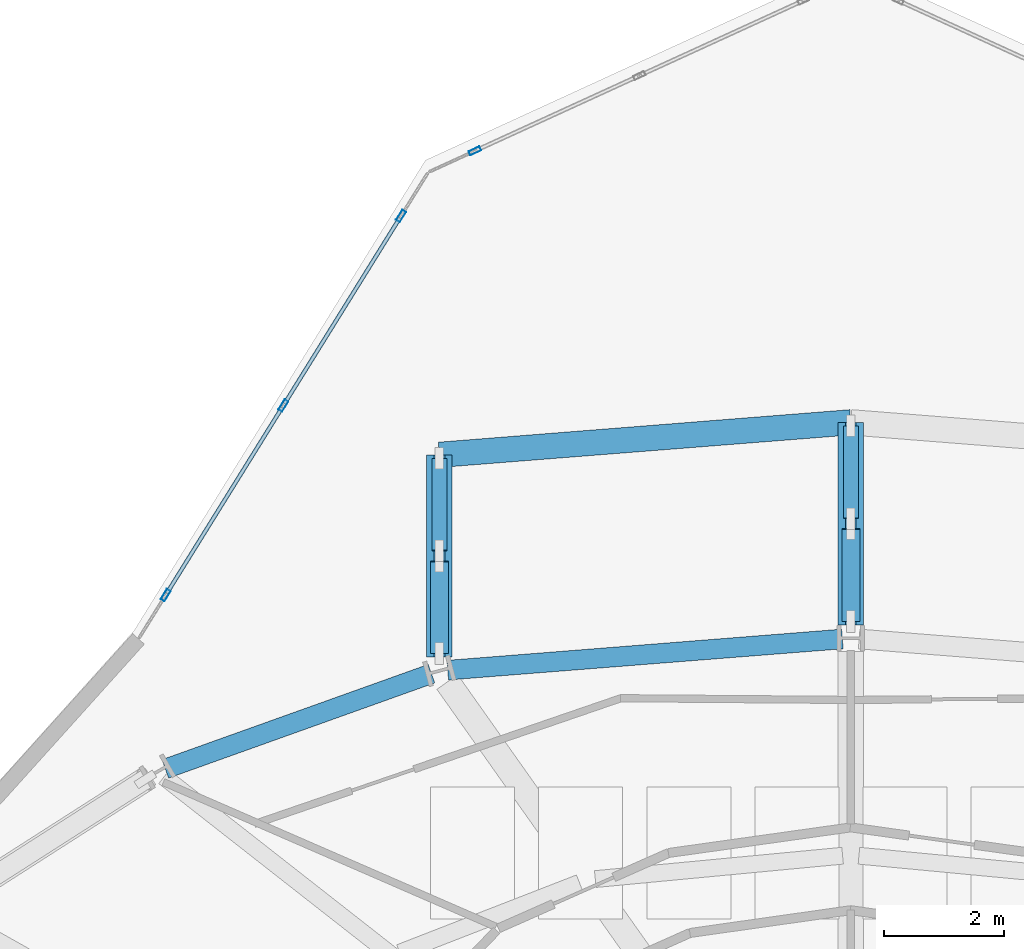
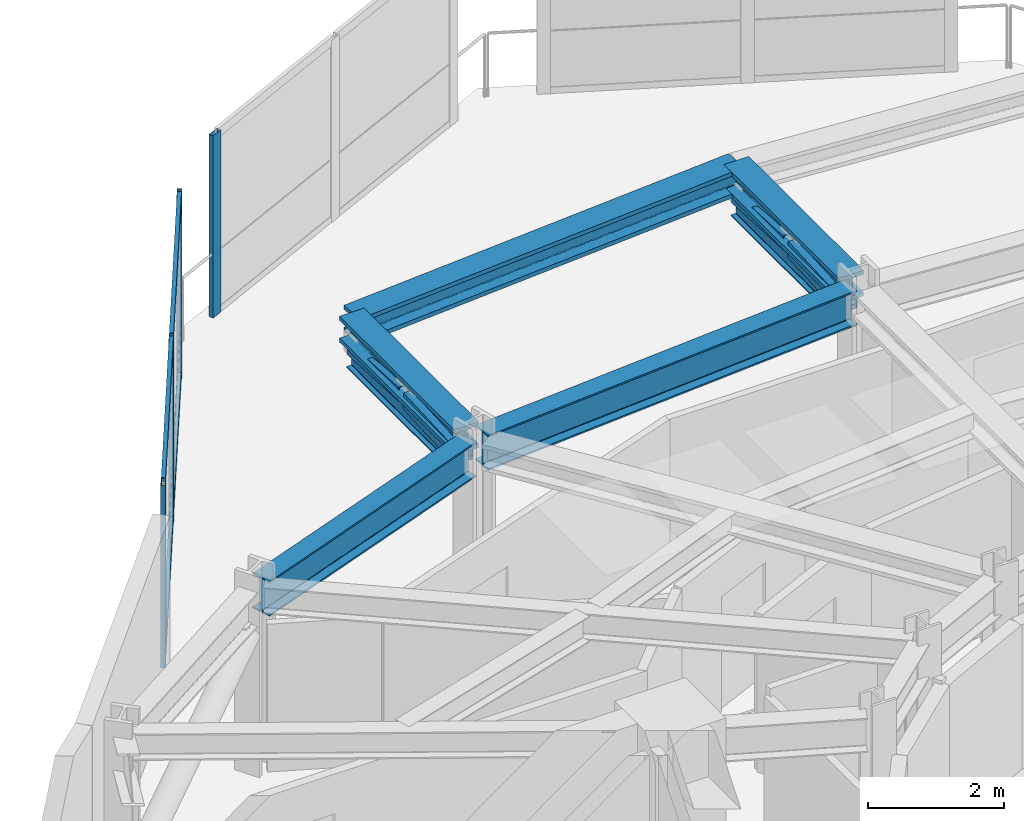
# One storey, part 8 of 19: 12 members, 7 beams, 2 elements without a shape of their own.
"""IFC4 building model written with IfcOpenShell, lengths in metres."""

from ifc_helpers import new_model, si_unit, direction, frame, origin, origin_2d, place, context, subcontext, project, spatial, hollow_rectangle, i_section, extrude, material, layer, layer_set, material_profile, profile_set, type_object, element, aggregate, save


model = new_model("IFC4")

# Units and contexts
model_context = context("Model", 3, precision=1e-05, world=origin(), true_north=direction((0.0, 1.0)))
body_context = subcontext(model_context, "Body", "Model", "MODEL_VIEW")
ifc_project = project(units=[si_unit("LENGTHUNIT", "METRE"), si_unit("AREAUNIT", "SQUARE_METRE"), si_unit("VOLUMEUNIT", "CUBIC_METRE"), si_unit("PLANEANGLEUNIT", "RADIAN"), si_unit("MASSUNIT", "GRAM", prefix="KILO")], contexts=[model_context])

# Site, building, storey
site_placement = place(None, origin())
site = spatial("IfcSite", under=ifc_project, at=site_placement, CompositionType="ELEMENT")
building_placement = place(site_placement, origin())
building = spatial("IfcBuilding", under=site, at=building_placement, Name="Solvane Sanctuary Tower", CompositionType="ELEMENT")
storey_placement = place(building_placement, frame((0.0, 0.0, 242.39990234375)))
storey = spatial("IfcBuildingStorey", under=building, at=storey_placement, Name="L74", CompositionType="ELEMENT", Elevation=242.39990234375)

# Beams
ifc_material_1 = material(Name="Steel ASTM A913 Grade 65", Category="steel")
ifc_material_profile_1 = material_profile(ifc_material_1, i_section(OverallWidth=0.422119140625, OverallDepth=0.465087890625, WebThickness=0.044921875, FlangeThickness=0.072509765625, FilletRadius=0.02490234375, at=origin_2d()), Name="W14X398")
ifc_profile_set_1 = profile_set([ifc_material_profile_1], Name="Steel ASTM A913 Grade 65")
beam_type_1 = type_object("IfcBeamType", Name="Beam B-CANT-CH W14X398", PredefinedType="BEAM", material=ifc_profile_set_1)
beam_1_placement = place(storey_placement, frame((25.143798828125, 38.36669921875, 3.085693359375), z_axis=(0.0, 1.0, 0.0), x_axis=(-1.0, 0.0, 0.0)))
element("IfcBeam", 1, at=beam_1_placement, inside=storey, type_object=beam_type_1, Name="L74 Sky-Dining Truss Top Chord C05", PredefinedType="BEAM", context=body_context, shape_type="SweptSolid", body=[
    extrude(i_section(OverallWidth=0.422119140625, OverallDepth=0.465087890625, WebThickness=0.044921875, FlangeThickness=0.072509765625, FilletRadius=0.02490234375, at=origin_2d()), origin(), (0.0, 0.0, 1.0), 3.37158203125),
])
beam_2_placement = place(storey_placement, frame((32.0, 38.90087890625, 3.085693359375), z_axis=(0.0, 1.0, 0.0), x_axis=(-1.0, 0.0, 0.0)))
element("IfcBeam", 2, at=beam_2_placement, inside=storey, type_object=beam_type_1, Name="L74 Sky-Dining Truss Top Chord C04", PredefinedType="BEAM", context=body_context, shape_type="SweptSolid", body=[
    extrude(i_section(OverallWidth=0.422119140625, OverallDepth=0.465087890625, WebThickness=0.044921875, FlangeThickness=0.072509765625, FilletRadius=0.02490234375, at=origin_2d()), origin(), (0.0, 0.0, 1.0), 3.379150390625),
])
beam_3_placement = place(storey_placement, frame((25.143798828125, 41.73828125, 3.085693359375), z_axis=(0.996892795984, 0.078770256536, 0.0), x_axis=(-0.078770256536, 0.996892795984, 0.0)))
element("IfcBeam", 3, at=beam_3_placement, inside=storey, type_object=beam_type_1, Name="L74 Sky-Dining Transverse Tie Beam 1", PredefinedType="BEAM", context=body_context, shape_type="SweptSolid", body=[
    extrude(i_section(OverallWidth=0.422119140625, OverallDepth=0.465087890625, WebThickness=0.044921875, FlangeThickness=0.072509765625, FilletRadius=0.02490234375, at=origin_2d()), origin(), (0.0, 0.0, 1.0), 6.877685546875),
])
ifc_material_2 = material(Name="Steel ASTM A992 Grade 50", Category="steel")
ifc_material_profile_2 = material_profile(ifc_material_2, i_section(OverallWidth=0.180908203125, OverallDepth=0.4169921875, WebThickness=0.010986328125, FlangeThickness=0.018310546875, FilletRadius=0.012939453125, at=origin_2d()), Name="W16X57")
ifc_profile_set_2 = profile_set([ifc_material_profile_2], Name="Steel ASTM A992 Grade 50")
beam_type_2 = type_object("IfcBeamType", Name="Beam B-ROOF-BM W16X57", PredefinedType="BEAM", material=ifc_profile_set_2)
beam_4_placement = place(storey_placement, frame((25.143798828125, 38.36669921875, 2.56005859375), z_axis=(0.0, 1.0, 0.0), x_axis=(-1.0, 0.0, 0.0)))
element("IfcBeam", 4, at=beam_4_placement, inside=storey, type_object=beam_type_2, Name="L74 Sky-Dining Truss Bottom Chord C05", PredefinedType="BEAM", context=body_context, shape_type="SweptSolid", body=[
    extrude(i_section(OverallWidth=0.180908203125, OverallDepth=0.4169921875, WebThickness=0.010986328125, FlangeThickness=0.018310546875, FilletRadius=0.012939453125, at=origin_2d()), origin(), (0.0, 0.0, 1.0), 3.37158203125),
])
beam_5_placement = place(storey_placement, frame((32.0, 38.90087890625, 2.56005859375), z_axis=(0.0, 1.0, 0.0), x_axis=(-1.0, 0.0, 0.0)))
element("IfcBeam", 5, at=beam_5_placement, inside=storey, type_object=beam_type_2, Name="L74 Sky-Dining Truss Bottom Chord C04", PredefinedType="BEAM", context=body_context, shape_type="SweptSolid", body=[
    extrude(i_section(OverallWidth=0.180908203125, OverallDepth=0.4169921875, WebThickness=0.010986328125, FlangeThickness=0.018310546875, FilletRadius=0.012939453125, at=origin_2d()), origin(), (0.0, 0.0, 1.0), 3.379150390625),
])
ifc_material_profile_3 = material_profile(ifc_material_2, i_section(OverallWidth=0.327880859375, OverallDepth=0.6279296875, WebThickness=0.0166015625, FlangeThickness=0.027587890625, FilletRadius=0.01611328125, at=origin_2d()), Name="W24X146")
ifc_profile_set_3 = profile_set([ifc_material_profile_3], Name="Steel ASTM A992 Grade 50")
beam_type_3 = type_object("IfcBeamType", Name="Beam B-SPAND-Z3 W24X146", PredefinedType="SPANDREL", material=ifc_profile_set_3)
beam_6_placement = place(storey_placement, frame((20.57666015625, 36.50439453125, 3.004150390625), z_axis=(0.941570600413, 0.336815683184, 0.0), x_axis=(-0.336815683184, 0.941570600413, 0.0)))
element("IfcBeam", 6, at=beam_6_placement, inside=storey, type_object=beam_type_3, Name="L74 Perimeter Spandrel Beam TC06-TC05", PredefinedType="SPANDREL", context=body_context, shape_type="SweptSolid", body=[
    extrude(i_section(OverallWidth=0.327880859375, OverallDepth=0.6279296875, WebThickness=0.0166015625, FlangeThickness=0.027587890625, FilletRadius=0.01611328125, at=origin_2d()), origin(), (0.0, 0.0, 1.0), 4.710693359375),
])
beam_7_placement = place(storey_placement, frame((25.283447265625, 38.1494140625, 3.004150390625), z_axis=(0.996894556567, 0.078747971951, 0.0), x_axis=(-0.078747971951, 0.996894556567, 0.0)))
element("IfcBeam", 7, at=beam_7_placement, inside=storey, type_object=beam_type_3, Name="L74 Perimeter Spandrel Beam TC05-TC04", PredefinedType="SPANDREL", context=body_context, shape_type="SweptSolid", body=[
    extrude(i_section(OverallWidth=0.327880859375, OverallDepth=0.6279296875, WebThickness=0.0166015625, FlangeThickness=0.027587890625, FilletRadius=0.01611328125, at=origin_2d()), origin(), (0.0, 0.0, 1.0), 6.597412109375),
])

# Members
ifc_material_profile_4 = material_profile(ifc_material_1, hollow_rectangle(XDim=0.300048828125, YDim=0.300048828125, WallThickness=0.012451171875, at=origin_2d()), Name="HSS300X300X12.5")
ifc_profile_set_4 = profile_set([ifc_material_profile_4], Name="Steel ASTM A913 Grade 65")
member_type_1 = type_object("IfcMemberType", Name="Member M-CANT-DIAG HSS300X300X12.5", PredefinedType="STRUT", material=ifc_profile_set_4)
member_1_placement = place(storey_placement, frame((25.143798828125, 38.431640625, 2.768798828125), z_axis=(0.0, 0.998634932523, 0.052232858853), x_axis=(-1.0, 0.0, 0.0)))
element("IfcMember", 8, at=member_1_placement, inside=storey, type_object=member_type_1, Name="L74 Sky-Dining Truss Diagonal C05-P1", PredefinedType="STRUT", context=body_context, shape_type="SweptSolid", body=[
    extrude(hollow_rectangle(XDim=0.300048828125, YDim=0.300048828125, WallThickness=0.012451171875, at=origin_2d()), origin(), (0.0, 0.0, 1.0), 1.533203125),
])
member_2_placement = place(storey_placement, frame((32.0, 38.966064453125, 2.768798828125), z_axis=(0.0, 0.998640994819, 0.052116825187), x_axis=(-1.0, 0.0, 0.0)))
element("IfcMember", 9, at=member_2_placement, inside=storey, type_object=member_type_1, Name="L74 Sky-Dining Truss Diagonal C04-P1", PredefinedType="STRUT", context=body_context, shape_type="SweptSolid", body=[
    extrude(hollow_rectangle(XDim=0.300048828125, YDim=0.300048828125, WallThickness=0.012451171875, at=origin_2d()), origin(), (0.0, 0.0, 1.0), 1.53662109375),
])
ifc_material_profile_5 = material_profile(ifc_material_1, hollow_rectangle(XDim=0.25, YDim=0.25, WallThickness=0.012451171875, at=origin_2d()), Name="HSS250X250X12.5")
ifc_profile_set_5 = profile_set([ifc_material_profile_5], Name="Steel ASTM A913 Grade 65")
member_type_2 = type_object("IfcMemberType", Name="Member M-CANT-POST HSS250X250X12.5", PredefinedType="POST", material=ifc_profile_set_5)
member_3_placement = place(storey_placement, frame((25.143798828125, 40.142333984375, 2.848876953125), z_axis=(0.0, 0.998634932523, -0.052232858853), x_axis=(-1.0, 0.0, 0.0)))
element("IfcMember", 10, at=member_3_placement, inside=storey, type_object=member_type_2, Name="L74 Sky-Dining Truss Web Post C05-P1", PredefinedType="POST", context=body_context, shape_type="SweptSolid", body=[
    extrude(hollow_rectangle(XDim=0.25, YDim=0.25, WallThickness=0.012451171875, at=origin_2d()), origin(), (0.0, 0.0, 1.0), 1.533203125),
])
member_4_placement = place(storey_placement, frame((32.0, 40.680419921875, 2.848876953125), z_axis=(0.0, 0.998641426295, -0.052108556765), x_axis=(-1.0, 0.0, 0.0)))
element("IfcMember", 11, at=member_4_placement, inside=storey, type_object=member_type_2, Name="L74 Sky-Dining Truss Web Post C04-P1", PredefinedType="POST", context=body_context, shape_type="SweptSolid", body=[
    extrude(hollow_rectangle(XDim=0.25, YDim=0.25, WallThickness=0.012451171875, at=origin_2d()), origin(), (0.0, 0.0, 1.0), 1.536865234375),
])

# Curtain wall, member
ifc_material_3 = material(Name="Anodised Aluminium 6063-T6", Category="aluminium")
ifc_layer = layer(ifc_material_3, 0.18994140625, Name="Anodised Aluminium 6063-T6")
ifc_layer_set = layer_set([ifc_layer], Name="Anodised Aluminium 6063-T6")
curtain_wall_type = type_object("IfcCurtainWallType", Name="Curtain Wall CW-OPER", PredefinedType="NOTDEFINED", material=ifc_layer_set)
curtain_wall_1_placement = place(storey_placement, origin())
curtain_wall_1 = element("IfcCurtainWall", 12, at=curtain_wall_1_placement, inside=storey, type_object=curtain_wall_type, Name="L74 CW-OPER Facade Run 06", PredefinedType="NOTDEFINED")
ifc_material_profile_6 = material_profile(ifc_material_3, hollow_rectangle(XDim=0.074951171875, YDim=0.199951171875, WallThickness=0.00390625, at=origin_2d()), Name="ALU200X75X4")
ifc_profile_set_6 = profile_set([ifc_material_profile_6], Name="Anodised Aluminium 6063-T6")
member_type_3 = type_object("IfcMemberType", Name="Member M-CW-MUL-1 ALU200X75X4", PredefinedType="MULLION", material=ifc_profile_set_6)
member_5_placement = place(storey_placement, frame((25.73681640625, 46.80322265625, 0.0), z_axis=(0.0, 0.0, 1.0), x_axis=(0.416224941032, -0.909261677661, 0.0)))
member_5 = element("IfcMember", 13, at=member_5_placement, type_object=member_type_3, Name="CW-OPER mullion 3", PredefinedType="MULLION", context=body_context, shape_type="SweptSolid", body=[
    extrude(hollow_rectangle(XDim=0.074951171875, YDim=0.199951171875, WallThickness=0.00390625, at=origin_2d()), origin(), (0.0, 0.0, 1.0), 3.280029296875),
])
aggregate(curtain_wall_1, [member_5])

# Curtain wall, members
curtain_wall_2_placement = place(storey_placement, origin())
curtain_wall_2 = element("IfcCurtainWall", 14, at=curtain_wall_2_placement, inside=storey, type_object=curtain_wall_type, Name="L74 CW-OPER Facade Run 07", PredefinedType="NOTDEFINED")
member_6_placement = place(storey_placement, frame((24.504638671875, 45.7177734375, 0.0), z_axis=(0.0, 0.0, 1.0), x_axis=(0.849622273102, -0.527391688453, 0.0)))
member_6 = element("IfcMember", 15, at=member_6_placement, type_object=member_type_3, Name="CW-OPER mullion 1", PredefinedType="MULLION", context=body_context, shape_type="SweptSolid", body=[
    extrude(hollow_rectangle(XDim=0.074951171875, YDim=0.199951171875, WallThickness=0.00390625, at=origin_2d()), origin(), (0.0, 0.0, 1.0), 3.280029296875),
])
member_7_placement = place(storey_placement, frame((22.54345703125, 42.558349609375, 0.0), z_axis=(0.0, 0.0, 1.0), x_axis=(0.849622273102, -0.527391688453, 0.0)))
member_7 = element("IfcMember", 16, at=member_7_placement, type_object=member_type_3, Name="CW-OPER mullion 2", PredefinedType="MULLION", context=body_context, shape_type="SweptSolid", body=[
    extrude(hollow_rectangle(XDim=0.074951171875, YDim=0.199951171875, WallThickness=0.00390625, at=origin_2d()), origin(), (0.0, 0.0, 1.0), 3.280029296875),
])
member_8_placement = place(storey_placement, frame((20.582275390625, 39.398681640625, 0.0), z_axis=(0.0, 0.0, 1.0), x_axis=(0.849622273102, -0.527391688453, 0.0)))
member_8 = element("IfcMember", 17, at=member_8_placement, type_object=member_type_3, Name="CW-OPER mullion 3", PredefinedType="MULLION", context=body_context, shape_type="SweptSolid", body=[
    extrude(hollow_rectangle(XDim=0.074951171875, YDim=0.199951171875, WallThickness=0.00390625, at=origin_2d()), origin(), (0.0, 0.0, 1.0), 3.280029296875),
])
ifc_material_profile_7 = material_profile(ifc_material_3, hollow_rectangle(XDim=0.06494140625, YDim=0.159912109375, WallThickness=0.00341796875, at=origin_2d()), Name="ALU160X65X3.5")
ifc_profile_set_7 = profile_set([ifc_material_profile_7], Name="Anodised Aluminium 6063-T6")
member_type_4 = type_object("IfcMemberType", Name="Member M-CW-TRN-1 ALU160X65X3.5", PredefinedType="USERDEFINED", material=ifc_profile_set_7)
member_9_placement = place(storey_placement, frame((24.48486328125, 45.68603515625, 0.03271484375), z_axis=(-0.527364529612, -0.849639130989, 0.0), x_axis=(0.849639130989, -0.527364529612, 0.0)))
member_9 = element("IfcMember", 18, at=member_9_placement, type_object=member_type_4, Name="CW-OPER transom 1.1", ObjectType="TRANSOM", PredefinedType="USERDEFINED", context=body_context, shape_type="SweptSolid", body=[
    extrude(hollow_rectangle(XDim=0.06494140625, YDim=0.159912109375, WallThickness=0.00341796875, at=origin_2d()), origin(), (0.0, 0.0, 1.0), 3.643798828125),
])
member_10_placement = place(storey_placement, frame((24.48486328125, 45.68603515625, 3.24755859375), z_axis=(-0.527364529612, -0.849639130989, 0.0), x_axis=(0.849639130989, -0.527364529612, 0.0)))
member_10 = element("IfcMember", 19, at=member_10_placement, type_object=member_type_4, Name="CW-OPER transom 1.2", ObjectType="TRANSOM", PredefinedType="USERDEFINED", context=body_context, shape_type="SweptSolid", body=[
    extrude(hollow_rectangle(XDim=0.06494140625, YDim=0.159912109375, WallThickness=0.00341796875, at=origin_2d()), origin(), (0.0, 0.0, 1.0), 3.643798828125),
])
member_11_placement = place(storey_placement, frame((22.523681640625, 42.5263671875, 0.03271484375), z_axis=(-0.527364529612, -0.849639130989, 0.0), x_axis=(0.849639130989, -0.527364529612, 0.0)))
member_11 = element("IfcMember", 20, at=member_11_placement, type_object=member_type_4, Name="CW-OPER transom 2.1", ObjectType="TRANSOM", PredefinedType="USERDEFINED", context=body_context, shape_type="SweptSolid", body=[
    extrude(hollow_rectangle(XDim=0.06494140625, YDim=0.159912109375, WallThickness=0.00341796875, at=origin_2d()), origin(), (0.0, 0.0, 1.0), 3.643798828125),
])
member_12_placement = place(storey_placement, frame((22.523681640625, 42.5263671875, 3.24755859375), z_axis=(-0.527364529612, -0.849639130989, 0.0), x_axis=(0.849639130989, -0.527364529612, 0.0)))
member_12 = element("IfcMember", 21, at=member_12_placement, type_object=member_type_4, Name="CW-OPER transom 2.2", ObjectType="TRANSOM", PredefinedType="USERDEFINED", context=body_context, shape_type="SweptSolid", body=[
    extrude(hollow_rectangle(XDim=0.06494140625, YDim=0.159912109375, WallThickness=0.00341796875, at=origin_2d()), origin(), (0.0, 0.0, 1.0), 3.643798828125),
])
aggregate(curtain_wall_2, [member_6, member_7, member_8, member_9, member_10, member_11, member_12])

save(model, "model.ifc")
